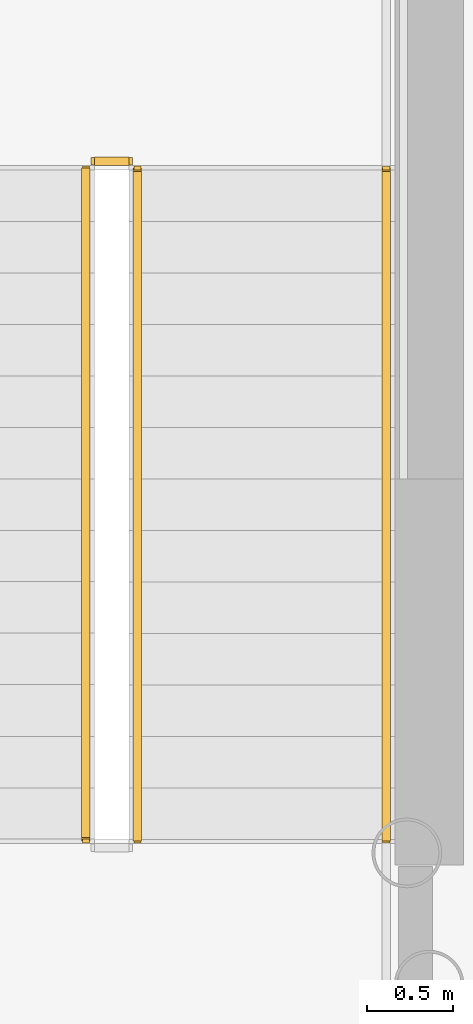
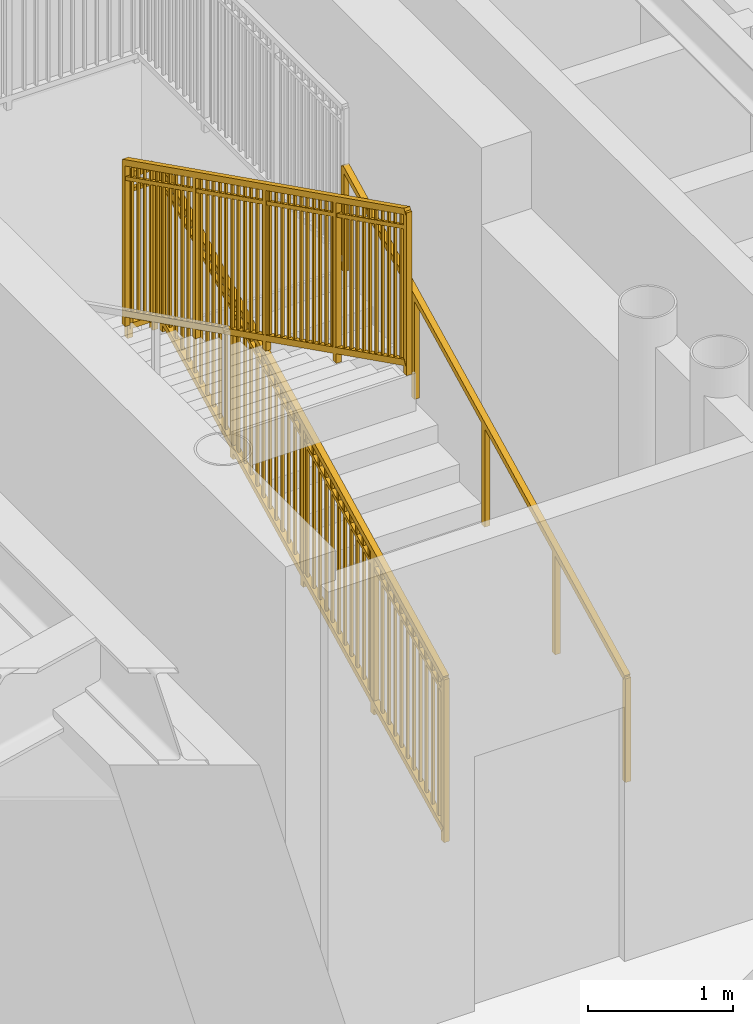
# One storey, part 22 of 29: 4 railings.
"""IFC4 building model written with IfcOpenShell, lengths in metres."""

from ifc_helpers import new_model, si_unit, direction, frame, origin, origin_2d, place, context, subcontext, project, spatial, rectangle, extrude, source, transform, mapped, material, type_object, element, save


model = new_model("IFC4")

# Units and contexts
model_context = context("Model", 3, precision=1e-05, world=origin(), true_north=direction((0.0, 1.0)))
body_context = subcontext(model_context, "Body", "Model", "MODEL_VIEW")
ifc_project = project(units=[si_unit("LENGTHUNIT", "METRE"), si_unit("AREAUNIT", "SQUARE_METRE"), si_unit("VOLUMEUNIT", "CUBIC_METRE"), si_unit("PLANEANGLEUNIT", "RADIAN"), si_unit("MASSUNIT", "GRAM", prefix="KILO")], contexts=[model_context])

# Site, building, storey
site_placement = place(None, origin())
site = spatial("IfcSite", under=ifc_project, at=site_placement, CompositionType="ELEMENT")
building_placement = place(site_placement, origin())
building = spatial("IfcBuilding", under=site, at=building_placement, Name="Linh Dai School and Residence Tower", CompositionType="ELEMENT")
storey_placement = place(building_placement, frame((0.0, 0.0, 45.0)))
storey = spatial("IfcBuildingStorey", under=building, at=storey_placement, Name="L10", CompositionType="ELEMENT", Elevation=45.0)

# Railings
ifc_material_1 = material(Name="Structural Steel S355JR", Category="steel")
railing_type_1 = type_object("IfcRailingType", Name="RL-ST-GUARD-1400", PredefinedType="GUARDRAIL", material=ifc_material_1)
shared_shape_1 = source(origin(), body_context, "Body", "SweptSolid", [
    extrude(rectangle(XDim=0.048095703125, YDim=0.048095703125, at=origin_2d()), frame((0.0, 0.0, 1.3759765625), z_axis=(-1.0, 0.0, 0.0), x_axis=(0.0, -1.0, 0.0)), (0.0, 0.0, 1.0), 0.199951171875),
    extrude(rectangle(XDim=0.048095703125, YDim=0.048095703125, at=origin_2d()), frame((0.0, 0.0, 0.10009765625), z_axis=(-1.0, 0.0, 0.0), x_axis=(0.0, -1.0, 0.0)), (0.0, 0.0, 1.0), 0.199951171875),
    extrude(rectangle(XDim=0.030029296875, YDim=0.030029296875, at=origin_2d()), frame((0.0, 0.0, 1.239990234375), z_axis=(-1.0, 0.0, 0.0), x_axis=(0.0, -1.0, 0.0)), (0.0, 0.0, 1.0), 0.199951171875),
    extrude(rectangle(XDim=0.0419921875, YDim=0.0419921875, at=origin_2d()), origin(), (0.0, 0.0, 1.0), 1.3759765625),
    extrude(rectangle(XDim=0.0419921875, YDim=0.0419921875, at=origin_2d()), frame((-0.199951171875, 0.0, 0.0)), (0.0, 0.0, 1.0), 1.3759765625),
])
railing_1_placement = place(storey_placement, frame((29.429931640625, 29.64990234375, 2.10009765625)))
element("IfcRailing", 1, at=railing_1_placement, inside=storey, type_object=railing_type_1, Name="L10 ST1 stair guard 2", PredefinedType="GUARDRAIL", context=body_context, shape_type="MappedRepresentation", body=[
    mapped(shared_shape_1, transform((0.0, 0.0, 0.0), x_axis=(1.0, 0.0, 0.0), y_axis=(0.0, 1.0, 0.0), z_axis=(0.0, 0.0, 1.0), scale=1.0)),
])
shared_shape_2 = source(origin(), body_context, "Body", "SweptSolid", [
    extrude(rectangle(XDim=0.048095703125, YDim=0.048095703125, at=origin_2d()), frame((0.0, 0.0, 1.3759765625), z_axis=(0.0, 0.894415993023, 0.447235990752), x_axis=(-1.0, 0.0, 0.0)), (0.0, 0.0, 1.0), 4.360595703125),
    extrude(rectangle(XDim=0.048095703125, YDim=0.048095703125, at=origin_2d()), frame((0.0, 0.0, 0.10009765625), z_axis=(0.0, 0.894415993023, 0.447235990752), x_axis=(-1.0, 0.0, 0.0)), (0.0, 0.0, 1.0), 4.360595703125),
    extrude(rectangle(XDim=0.030029296875, YDim=0.030029296875, at=origin_2d()), frame((0.0, 0.0, 1.239990234375), z_axis=(0.0, 0.894415993023, 0.447235990752), x_axis=(-1.0, 0.0, 0.0)), (0.0, 0.0, 1.0), 4.360595703125),
    extrude(rectangle(XDim=0.02001953125, YDim=0.02001953125, at=origin_2d()), frame((0.0, 0.086669921875, 0.1435546875)), (0.0, 0.0, 1.0), 1.251708984375),
    extrude(rectangle(XDim=0.02001953125, YDim=0.02001953125, at=origin_2d()), frame((0.0, 0.17333984375, 0.186767578125)), (0.0, 0.0, 1.0), 1.251708984375),
    extrude(rectangle(XDim=0.02001953125, YDim=0.02001953125, at=origin_2d()), frame((0.0, 0.260009765625, 0.230224609375)), (0.0, 0.0, 1.0), 1.251708984375),
    extrude(rectangle(XDim=0.02001953125, YDim=0.02001953125, at=origin_2d()), frame((0.0, 0.3466796875, 0.2734375)), (0.0, 0.0, 1.0), 1.251708984375),
    extrude(rectangle(XDim=0.02001953125, YDim=0.02001953125, at=origin_2d()), frame((0.0, 0.433349609375, 0.31689453125)), (0.0, 0.0, 1.0), 1.251708984375),
    extrude(rectangle(XDim=0.02001953125, YDim=0.02001953125, at=origin_2d()), frame((0.0, 0.52001953125, 0.360107421875)), (0.0, 0.0, 1.0), 1.251708984375),
    extrude(rectangle(XDim=0.02001953125, YDim=0.02001953125, at=origin_2d()), frame((0.0, 0.606689453125, 0.403564453125)), (0.0, 0.0, 1.0), 1.251708984375),
    extrude(rectangle(XDim=0.02001953125, YDim=0.02001953125, at=origin_2d()), frame((0.0, 0.693359375, 0.44677734375)), (0.0, 0.0, 1.0), 1.251708984375),
    extrude(rectangle(XDim=0.02001953125, YDim=0.02001953125, at=origin_2d()), frame((0.0, 0.780029296875, 0.490234375)), (0.0, 0.0, 1.0), 1.251708984375),
    extrude(rectangle(XDim=0.02001953125, YDim=0.02001953125, at=origin_2d()), frame((0.0, 0.86669921875, 0.533447265625)), (0.0, 0.0, 1.0), 1.251708984375),
    extrude(rectangle(XDim=0.02001953125, YDim=0.02001953125, at=origin_2d()), frame((0.0, 1.0400390625, 0.6201171875)), (0.0, 0.0, 1.0), 1.251708984375),
    extrude(rectangle(XDim=0.02001953125, YDim=0.02001953125, at=origin_2d()), frame((0.0, 1.126708984375, 0.66357421875)), (0.0, 0.0, 1.0), 1.251708984375),
    extrude(rectangle(XDim=0.02001953125, YDim=0.02001953125, at=origin_2d()), frame((0.0, 1.21337890625, 0.706787109375)), (0.0, 0.0, 1.0), 1.251708984375),
    extrude(rectangle(XDim=0.02001953125, YDim=0.02001953125, at=origin_2d()), frame((0.0, 1.300048828125, 0.750244140625)), (0.0, 0.0, 1.0), 1.251708984375),
    extrude(rectangle(XDim=0.02001953125, YDim=0.02001953125, at=origin_2d()), frame((0.0, 1.38671875, 0.79345703125)), (0.0, 0.0, 1.0), 1.251708984375),
    extrude(rectangle(XDim=0.02001953125, YDim=0.02001953125, at=origin_2d()), frame((0.0, 1.473388671875, 0.8369140625)), (0.0, 0.0, 1.0), 1.251708984375),
    extrude(rectangle(XDim=0.02001953125, YDim=0.02001953125, at=origin_2d()), frame((0.0, 1.56005859375, 0.880126953125)), (0.0, 0.0, 1.0), 1.251708984375),
    extrude(rectangle(XDim=0.02001953125, YDim=0.02001953125, at=origin_2d()), frame((0.0, 1.646728515625, 0.923583984375)), (0.0, 0.0, 1.0), 1.251708984375),
    extrude(rectangle(XDim=0.02001953125, YDim=0.02001953125, at=origin_2d()), frame((0.0, 1.7333984375, 0.966796875)), (0.0, 0.0, 1.0), 1.251708984375),
    extrude(rectangle(XDim=0.02001953125, YDim=0.02001953125, at=origin_2d()), frame((0.0, 1.820068359375, 1.01025390625)), (0.0, 0.0, 1.0), 1.251708984375),
    extrude(rectangle(XDim=0.02001953125, YDim=0.02001953125, at=origin_2d()), frame((0.0, 1.90673828125, 1.053466796875)), (0.0, 0.0, 1.0), 1.251708984375),
    extrude(rectangle(XDim=0.02001953125, YDim=0.02001953125, at=origin_2d()), frame((0.0, 1.993408203125, 1.096923828125)), (0.0, 0.0, 1.0), 1.251708984375),
    extrude(rectangle(XDim=0.02001953125, YDim=0.02001953125, at=origin_2d()), frame((0.0, 2.080078125, 1.14013671875)), (0.0, 0.0, 1.0), 1.251708984375),
    extrude(rectangle(XDim=0.02001953125, YDim=0.02001953125, at=origin_2d()), frame((0.0, 2.166748046875, 1.18359375)), (0.0, 0.0, 1.0), 1.251708984375),
    extrude(rectangle(XDim=0.02001953125, YDim=0.02001953125, at=origin_2d()), frame((0.0, 2.25341796875, 1.226806640625)), (0.0, 0.0, 1.0), 1.251708984375),
    extrude(rectangle(XDim=0.02001953125, YDim=0.02001953125, at=origin_2d()), frame((0.0, 2.340087890625, 1.270263671875)), (0.0, 0.0, 1.0), 1.251708984375),
    extrude(rectangle(XDim=0.02001953125, YDim=0.02001953125, at=origin_2d()), frame((0.0, 2.4267578125, 1.3134765625)), (0.0, 0.0, 1.0), 1.251708984375),
    extrude(rectangle(XDim=0.02001953125, YDim=0.02001953125, at=origin_2d()), frame((0.0, 2.513427734375, 1.35693359375)), (0.0, 0.0, 1.0), 1.251708984375),
    extrude(rectangle(XDim=0.02001953125, YDim=0.02001953125, at=origin_2d()), frame((0.0, 2.60009765625, 1.400146484375)), (0.0, 0.0, 1.0), 1.251708984375),
    extrude(rectangle(XDim=0.02001953125, YDim=0.02001953125, at=origin_2d()), frame((0.0, 2.686767578125, 1.443603515625)), (0.0, 0.0, 1.0), 1.251708984375),
    extrude(rectangle(XDim=0.02001953125, YDim=0.02001953125, at=origin_2d()), frame((0.0, 2.7734375, 1.48681640625)), (0.0, 0.0, 1.0), 1.251708984375),
    extrude(rectangle(XDim=0.02001953125, YDim=0.02001953125, at=origin_2d()), frame((0.0, 2.860107421875, 1.5302734375)), (0.0, 0.0, 1.0), 1.251708984375),
    extrude(rectangle(XDim=0.02001953125, YDim=0.02001953125, at=origin_2d()), frame((0.0, 3.033447265625, 1.616943359375)), (0.0, 0.0, 1.0), 1.251708984375),
    extrude(rectangle(XDim=0.02001953125, YDim=0.02001953125, at=origin_2d()), frame((0.0, 3.1201171875, 1.66015625)), (0.0, 0.0, 1.0), 1.251708984375),
    extrude(rectangle(XDim=0.02001953125, YDim=0.02001953125, at=origin_2d()), frame((0.0, 3.206787109375, 1.70361328125)), (0.0, 0.0, 1.0), 1.251708984375),
    extrude(rectangle(XDim=0.02001953125, YDim=0.02001953125, at=origin_2d()), frame((0.0, 3.29345703125, 1.746826171875)), (0.0, 0.0, 1.0), 1.251708984375),
    extrude(rectangle(XDim=0.02001953125, YDim=0.02001953125, at=origin_2d()), frame((0.0, 3.380126953125, 1.790283203125)), (0.0, 0.0, 1.0), 1.251708984375),
    extrude(rectangle(XDim=0.02001953125, YDim=0.02001953125, at=origin_2d()), frame((0.0, 3.466796875, 1.83349609375)), (0.0, 0.0, 1.0), 1.251708984375),
    extrude(rectangle(XDim=0.02001953125, YDim=0.02001953125, at=origin_2d()), frame((0.0, 3.553466796875, 1.876953125)), (0.0, 0.0, 1.0), 1.251708984375),
    extrude(rectangle(XDim=0.02001953125, YDim=0.02001953125, at=origin_2d()), frame((0.0, 3.64013671875, 1.920166015625)), (0.0, 0.0, 1.0), 1.251708984375),
    extrude(rectangle(XDim=0.02001953125, YDim=0.02001953125, at=origin_2d()), frame((0.0, 3.726806640625, 1.963623046875)), (0.0, 0.0, 1.0), 1.251708984375),
    extrude(rectangle(XDim=0.02001953125, YDim=0.02001953125, at=origin_2d()), frame((0.0, 3.8134765625, 2.0068359375)), (0.0, 0.0, 1.0), 1.251708984375),
    extrude(rectangle(XDim=0.0419921875, YDim=0.0419921875, at=origin_2d()), origin(), (0.0, 0.0, 1.0), 1.3759765625),
    extrude(rectangle(XDim=0.0419921875, YDim=0.0419921875, at=origin_2d()), frame((0.0, 0.97509765625, 0.487548828125)), (0.0, 0.0, 1.0), 1.3759765625),
    extrude(rectangle(XDim=0.0419921875, YDim=0.0419921875, at=origin_2d()), frame((0.0, 1.9501953125, 0.97509765625)), (0.0, 0.0, 1.0), 1.3759765625),
    extrude(rectangle(XDim=0.0419921875, YDim=0.0419921875, at=origin_2d()), frame((0.0, 2.925048828125, 1.462646484375)), (0.0, 0.0, 1.0), 1.3759765625),
    extrude(rectangle(XDim=0.0419921875, YDim=0.0419921875, at=origin_2d()), frame((0.0, 3.900146484375, 1.9501953125)), (0.0, 0.0, 1.0), 1.3759765625),
])
railing_2_placement = place(storey_placement, frame((29.47998046875, 25.699951171875, 0.14990234375)))
element("IfcRailing", 2, at=railing_2_placement, inside=storey, type_object=railing_type_1, Name="L10 ST1 stair guard 1", PredefinedType="GUARDRAIL", context=body_context, shape_type="MappedRepresentation", body=[
    mapped(shared_shape_2, transform((0.0, 0.0, 0.0), x_axis=(1.0, 0.0, 0.0), y_axis=(0.0, 1.0, 0.0), z_axis=(0.0, 0.0, 1.0), scale=1.0)),
])
shared_shape_3 = source(origin(), body_context, "Body", "SweptSolid", [
    extrude(rectangle(XDim=0.048095703125, YDim=0.048095703125, at=origin_2d()), frame((0.0, 0.0, 1.3759765625), z_axis=(0.0, -0.894438388696, 0.447191199406), x_axis=(1.0, 0.0, 0.0)), (0.0, 0.0, 1.0), 4.3603515625),
    extrude(rectangle(XDim=0.048095703125, YDim=0.048095703125, at=origin_2d()), frame((0.0, 0.0, 0.10009765625), z_axis=(0.0, -0.894438388696, 0.447191199406), x_axis=(1.0, 0.0, 0.0)), (0.0, 0.0, 1.0), 4.3603515625),
    extrude(rectangle(XDim=0.030029296875, YDim=0.030029296875, at=origin_2d()), frame((0.0, 0.0, 1.239990234375), z_axis=(0.0, -0.894438388696, 0.447191199406), x_axis=(1.0, 0.0, 0.0)), (0.0, 0.0, 1.0), 4.3603515625),
    extrude(rectangle(XDim=0.02001953125, YDim=0.02001953125, at=origin_2d()), frame((0.0, -0.086669921875, 0.143310546875)), (0.0, 0.0, 1.0), 1.251708984375),
    extrude(rectangle(XDim=0.02001953125, YDim=0.02001953125, at=origin_2d()), frame((0.0, -0.17333984375, 0.186767578125)), (0.0, 0.0, 1.0), 1.251708984375),
    extrude(rectangle(XDim=0.02001953125, YDim=0.02001953125, at=origin_2d()), frame((0.0, -0.260009765625, 0.22998046875)), (0.0, 0.0, 1.0), 1.251708984375),
    extrude(rectangle(XDim=0.02001953125, YDim=0.02001953125, at=origin_2d()), frame((0.0, -0.3466796875, 0.2734375)), (0.0, 0.0, 1.0), 1.251708984375),
    extrude(rectangle(XDim=0.02001953125, YDim=0.02001953125, at=origin_2d()), frame((0.0, -0.433349609375, 0.316650390625)), (0.0, 0.0, 1.0), 1.251708984375),
    extrude(rectangle(XDim=0.02001953125, YDim=0.02001953125, at=origin_2d()), frame((0.0, -0.52001953125, 0.360107421875)), (0.0, 0.0, 1.0), 1.251708984375),
    extrude(rectangle(XDim=0.02001953125, YDim=0.02001953125, at=origin_2d()), frame((0.0, -0.606689453125, 0.4033203125)), (0.0, 0.0, 1.0), 1.251708984375),
    extrude(rectangle(XDim=0.02001953125, YDim=0.02001953125, at=origin_2d()), frame((0.0, -0.693359375, 0.44677734375)), (0.0, 0.0, 1.0), 1.251708984375),
    extrude(rectangle(XDim=0.02001953125, YDim=0.02001953125, at=origin_2d()), frame((0.0, -0.780029296875, 0.489990234375)), (0.0, 0.0, 1.0), 1.251708984375),
    extrude(rectangle(XDim=0.02001953125, YDim=0.02001953125, at=origin_2d()), frame((0.0, -0.86669921875, 0.533447265625)), (0.0, 0.0, 1.0), 1.251708984375),
    extrude(rectangle(XDim=0.02001953125, YDim=0.02001953125, at=origin_2d()), frame((0.0, -1.0400390625, 0.6201171875)), (0.0, 0.0, 1.0), 1.251708984375),
    extrude(rectangle(XDim=0.02001953125, YDim=0.02001953125, at=origin_2d()), frame((0.0, -1.126708984375, 0.663330078125)), (0.0, 0.0, 1.0), 1.251708984375),
    extrude(rectangle(XDim=0.02001953125, YDim=0.02001953125, at=origin_2d()), frame((0.0, -1.21337890625, 0.706787109375)), (0.0, 0.0, 1.0), 1.251708984375),
    extrude(rectangle(XDim=0.02001953125, YDim=0.02001953125, at=origin_2d()), frame((0.0, -1.300048828125, 0.75)), (0.0, 0.0, 1.0), 1.251708984375),
    extrude(rectangle(XDim=0.02001953125, YDim=0.02001953125, at=origin_2d()), frame((0.0, -1.38671875, 0.79345703125)), (0.0, 0.0, 1.0), 1.251708984375),
    extrude(rectangle(XDim=0.02001953125, YDim=0.02001953125, at=origin_2d()), frame((0.0, -1.473388671875, 0.836669921875)), (0.0, 0.0, 1.0), 1.251708984375),
    extrude(rectangle(XDim=0.02001953125, YDim=0.02001953125, at=origin_2d()), frame((0.0, -1.56005859375, 0.880126953125)), (0.0, 0.0, 1.0), 1.251708984375),
    extrude(rectangle(XDim=0.02001953125, YDim=0.02001953125, at=origin_2d()), frame((0.0, -1.646728515625, 0.92333984375)), (0.0, 0.0, 1.0), 1.251708984375),
    extrude(rectangle(XDim=0.02001953125, YDim=0.02001953125, at=origin_2d()), frame((0.0, -1.7333984375, 0.966796875)), (0.0, 0.0, 1.0), 1.251708984375),
    extrude(rectangle(XDim=0.02001953125, YDim=0.02001953125, at=origin_2d()), frame((0.0, -1.820068359375, 1.010009765625)), (0.0, 0.0, 1.0), 1.251708984375),
    extrude(rectangle(XDim=0.02001953125, YDim=0.02001953125, at=origin_2d()), frame((0.0, -1.90673828125, 1.053466796875)), (0.0, 0.0, 1.0), 1.251708984375),
    extrude(rectangle(XDim=0.02001953125, YDim=0.02001953125, at=origin_2d()), frame((0.0, -1.993408203125, 1.0966796875)), (0.0, 0.0, 1.0), 1.251708984375),
    extrude(rectangle(XDim=0.02001953125, YDim=0.02001953125, at=origin_2d()), frame((0.0, -2.080078125, 1.14013671875)), (0.0, 0.0, 1.0), 1.251708984375),
    extrude(rectangle(XDim=0.02001953125, YDim=0.02001953125, at=origin_2d()), frame((0.0, -2.166748046875, 1.183349609375)), (0.0, 0.0, 1.0), 1.251708984375),
    extrude(rectangle(XDim=0.02001953125, YDim=0.02001953125, at=origin_2d()), frame((0.0, -2.25341796875, 1.226806640625)), (0.0, 0.0, 1.0), 1.251708984375),
    extrude(rectangle(XDim=0.02001953125, YDim=0.02001953125, at=origin_2d()), frame((0.0, -2.340087890625, 1.27001953125)), (0.0, 0.0, 1.0), 1.251708984375),
    extrude(rectangle(XDim=0.02001953125, YDim=0.02001953125, at=origin_2d()), frame((0.0, -2.4267578125, 1.3134765625)), (0.0, 0.0, 1.0), 1.251708984375),
    extrude(rectangle(XDim=0.02001953125, YDim=0.02001953125, at=origin_2d()), frame((0.0, -2.513427734375, 1.356689453125)), (0.0, 0.0, 1.0), 1.251708984375),
    extrude(rectangle(XDim=0.02001953125, YDim=0.02001953125, at=origin_2d()), frame((0.0, -2.60009765625, 1.400146484375)), (0.0, 0.0, 1.0), 1.251708984375),
    extrude(rectangle(XDim=0.02001953125, YDim=0.02001953125, at=origin_2d()), frame((0.0, -2.686767578125, 1.443359375)), (0.0, 0.0, 1.0), 1.251708984375),
    extrude(rectangle(XDim=0.02001953125, YDim=0.02001953125, at=origin_2d()), frame((0.0, -2.7734375, 1.48681640625)), (0.0, 0.0, 1.0), 1.251708984375),
    extrude(rectangle(XDim=0.02001953125, YDim=0.02001953125, at=origin_2d()), frame((0.0, -2.860107421875, 1.530029296875)), (0.0, 0.0, 1.0), 1.251708984375),
    extrude(rectangle(XDim=0.02001953125, YDim=0.02001953125, at=origin_2d()), frame((0.0, -3.033447265625, 1.61669921875)), (0.0, 0.0, 1.0), 1.251708984375),
    extrude(rectangle(XDim=0.02001953125, YDim=0.02001953125, at=origin_2d()), frame((0.0, -3.1201171875, 1.66015625)), (0.0, 0.0, 1.0), 1.251708984375),
    extrude(rectangle(XDim=0.02001953125, YDim=0.02001953125, at=origin_2d()), frame((0.0, -3.206787109375, 1.703369140625)), (0.0, 0.0, 1.0), 1.251708984375),
    extrude(rectangle(XDim=0.02001953125, YDim=0.02001953125, at=origin_2d()), frame((0.0, -3.29345703125, 1.746826171875)), (0.0, 0.0, 1.0), 1.251708984375),
    extrude(rectangle(XDim=0.02001953125, YDim=0.02001953125, at=origin_2d()), frame((0.0, -3.380126953125, 1.7900390625)), (0.0, 0.0, 1.0), 1.251708984375),
    extrude(rectangle(XDim=0.02001953125, YDim=0.02001953125, at=origin_2d()), frame((0.0, -3.466796875, 1.83349609375)), (0.0, 0.0, 1.0), 1.251708984375),
    extrude(rectangle(XDim=0.02001953125, YDim=0.02001953125, at=origin_2d()), frame((0.0, -3.553466796875, 1.876708984375)), (0.0, 0.0, 1.0), 1.251708984375),
    extrude(rectangle(XDim=0.02001953125, YDim=0.02001953125, at=origin_2d()), frame((0.0, -3.64013671875, 1.920166015625)), (0.0, 0.0, 1.0), 1.251708984375),
    extrude(rectangle(XDim=0.02001953125, YDim=0.02001953125, at=origin_2d()), frame((0.0, -3.726806640625, 1.96337890625)), (0.0, 0.0, 1.0), 1.251708984375),
    extrude(rectangle(XDim=0.02001953125, YDim=0.02001953125, at=origin_2d()), frame((0.0, -3.8134765625, 2.0068359375)), (0.0, 0.0, 1.0), 1.251708984375),
    extrude(rectangle(XDim=0.0419921875, YDim=0.0419921875, at=origin_2d()), origin(), (0.0, 0.0, 1.0), 1.3759765625),
    extrude(rectangle(XDim=0.0419921875, YDim=0.0419921875, at=origin_2d()), frame((0.0, -0.97509765625, 0.487548828125)), (0.0, 0.0, 1.0), 1.3759765625),
    extrude(rectangle(XDim=0.0419921875, YDim=0.0419921875, at=origin_2d()), frame((0.0, -1.9501953125, 0.97509765625)), (0.0, 0.0, 1.0), 1.3759765625),
    extrude(rectangle(XDim=0.0419921875, YDim=0.0419921875, at=origin_2d()), frame((0.0, -2.925048828125, 1.46240234375)), (0.0, 0.0, 1.0), 1.3759765625),
    extrude(rectangle(XDim=0.0419921875, YDim=0.0419921875, at=origin_2d()), frame((0.0, -3.900146484375, 1.949951171875)), (0.0, 0.0, 1.0), 1.3759765625),
])
railing_3_placement = place(storey_placement, frame((29.179931640625, 29.60009765625, 2.25)))
element("IfcRailing", 3, at=railing_3_placement, inside=storey, type_object=railing_type_1, Name="L10 ST1 stair guard 6", PredefinedType="GUARDRAIL", context=body_context, shape_type="MappedRepresentation", body=[
    mapped(shared_shape_3, transform((0.0, 0.0, 0.0), x_axis=(1.0, 0.0, 0.0), y_axis=(0.0, 1.0, 0.0), z_axis=(0.0, 0.0, 1.0), scale=1.0)),
])
ifc_material_2 = material(Name="Brushed Stainless Steel Handrail", Category="steel")
railing_type_2 = type_object("IfcRailingType", Name="RL-ST-HANDRAIL-900", PredefinedType="HANDRAIL", material=ifc_material_2)
shared_shape_4 = source(origin(), body_context, "Body", "SweptSolid", [
    extrude(rectangle(XDim=0.048095703125, YDim=0.048095703125, at=origin_2d()), frame((0.0, 0.0, 0.8759765625), z_axis=(0.0, 0.894415993023, 0.447235990752), x_axis=(-1.0, 0.0, 0.0)), (0.0, 0.0, 1.0), 4.360595703125),
    extrude(rectangle(XDim=0.0419921875, YDim=0.0419921875, at=origin_2d()), origin(), (0.0, 0.0, 1.0), 0.8759765625),
    extrude(rectangle(XDim=0.0419921875, YDim=0.0419921875, at=origin_2d()), frame((0.0, 0.97509765625, 0.487548828125)), (0.0, 0.0, 1.0), 0.8759765625),
    extrude(rectangle(XDim=0.0419921875, YDim=0.0419921875, at=origin_2d()), frame((0.0, 1.9501953125, 0.97509765625)), (0.0, 0.0, 1.0), 0.8759765625),
    extrude(rectangle(XDim=0.0419921875, YDim=0.0419921875, at=origin_2d()), frame((0.0, 2.925048828125, 1.462646484375)), (0.0, 0.0, 1.0), 0.8759765625),
    extrude(rectangle(XDim=0.0419921875, YDim=0.0419921875, at=origin_2d()), frame((0.0, 3.900146484375, 1.9501953125)), (0.0, 0.0, 1.0), 0.8759765625),
])
railing_4_placement = place(storey_placement, frame((30.929931640625, 25.699951171875, 0.14990234375)))
element("IfcRailing", 4, at=railing_4_placement, inside=storey, type_object=railing_type_2, Name="L10 ST1 stair handrail 1", PredefinedType="HANDRAIL", context=body_context, shape_type="MappedRepresentation", body=[
    mapped(shared_shape_4, transform((0.0, 0.0, 0.0), x_axis=(1.0, 0.0, 0.0), y_axis=(0.0, 1.0, 0.0), z_axis=(0.0, 0.0, 1.0), scale=1.0)),
])

save(model, "model.ifc")
